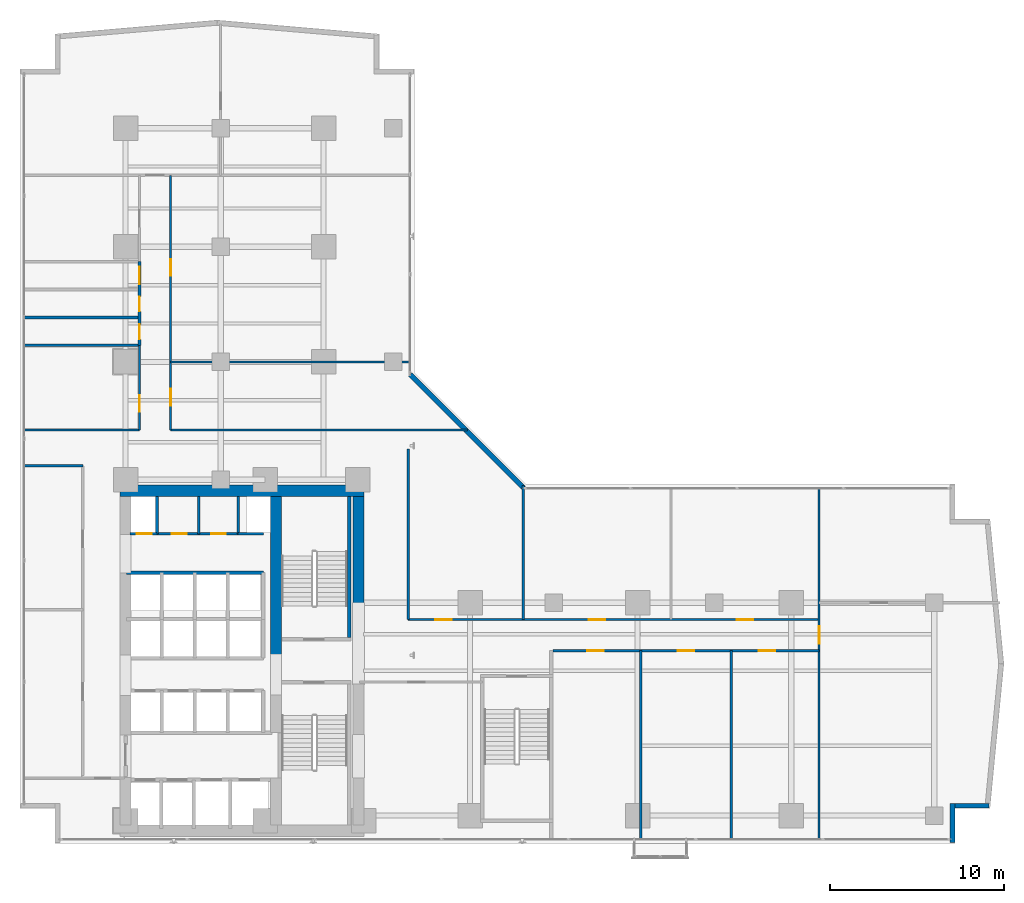
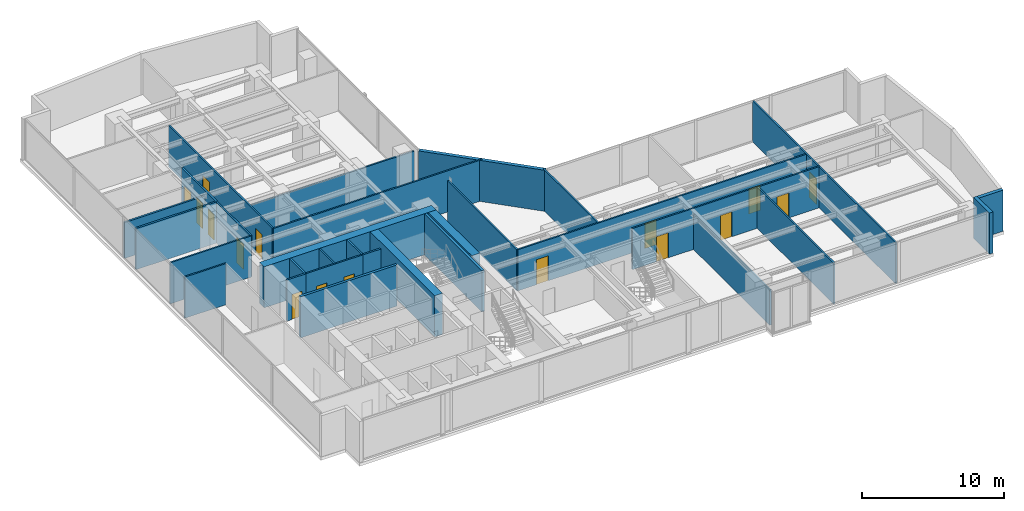
# One storey, part 21 of 28: 30 walls, 16 doors, 16 openings.
"""IFC4 building model written with IfcOpenShell, lengths in metres."""

from ifc_helpers import new_model, si_unit, direction, frame, frame_2d, origin, place, context, subcontext, project, spatial, rectangle, extrude, material, layer, layer_set, type_object, element, fill, save


model = new_model("IFC4")

# Units and contexts
model_context = context("Model", 3, precision=1e-05, world=origin(), true_north=direction((0.0, 1.0)))
body_context = subcontext(model_context, "Body", "Model", "MODEL_VIEW")
ifc_project = project(units=[si_unit("LENGTHUNIT", "METRE"), si_unit("AREAUNIT", "SQUARE_METRE"), si_unit("VOLUMEUNIT", "CUBIC_METRE"), si_unit("PLANEANGLEUNIT", "RADIAN"), si_unit("MASSUNIT", "GRAM", prefix="KILO")], contexts=[model_context])

# Site, building, storey
site_placement = place(None, origin())
site = spatial("IfcSite", under=ifc_project, at=site_placement, CompositionType="ELEMENT")
building_placement = place(site_placement, origin())
building = spatial("IfcBuilding", under=site, at=building_placement, Name="Kolvaren Waterfront Exchange", CompositionType="ELEMENT")
storey_placement = place(building_placement, frame((0.0, 0.0, 103.10009765625)))
storey = spatial("IfcBuildingStorey", under=building, at=storey_placement, Name="L26", CompositionType="ELEMENT", Elevation=103.10009765625)

# Walls
ifc_material_1 = material(Name="Precast concrete C40/50", Category="concrete")
ifc_layer_1 = layer(ifc_material_1, 0.280029296875, Name="Precast concrete C40/50")
ifc_layer_set_1 = layer_set([ifc_layer_1], Name="Precast concrete C40/50")
wall_type_1 = type_object("IfcWallType", Name="ARC-EXT-TERR-280", PredefinedType="SOLIDWALL", material=ifc_layer_set_1)
wall_1_placement = place(storey_placement, frame((54.840087890625, 3.659912109375, 0.0), z_axis=(0.0, 0.0, 1.0), x_axis=(0.0, 1.0, 0.0)))
element("IfcWall", 1, at=wall_1_placement, inside=storey, type_object=wall_type_1, Name="L26 notched corner spandrel pier SE-A", PredefinedType="SOLIDWALL", context=body_context, shape_type="SweptSolid", body=[
    extrude(rectangle(XDim=2.239990234375, YDim=0.280029296875, at=frame_2d((1.1201171875, 0.0))), origin(), (0.0, 0.0, 1.0), 3.539794921875),
])
wall_2_placement = place(storey_placement, frame((54.97998046875, 5.760009765625, 0.0), z_axis=(0.0, 0.0, 1.0), x_axis=(1.0, 0.0, 0.0)))
element("IfcWall", 2, at=wall_2_placement, inside=storey, type_object=wall_type_1, Name="L26 notched corner spandrel pier SE-B", PredefinedType="SOLIDWALL", context=body_context, shape_type="SweptSolid", body=[
    extrude(rectangle(XDim=1.9599609375, YDim=0.280029296875, at=frame_2d((0.97998046875, 0.0))), origin(), (0.0, 0.0, 1.0), 3.539794921875),
])
wall_3_placement = place(storey_placement, frame((30.284912109375, 23.97509765625, 0.0), z_axis=(0.0, 0.0, 1.0), x_axis=(-0.707106781187, 0.707106781187, 0.0)))
element("IfcWall", 3, at=wall_3_placement, inside=storey, type_object=wall_type_1, Name="L26 notched corner spandrel pier ELBOW", PredefinedType="SOLIDWALL", context=body_context, shape_type="SweptSolid", body=[
    extrude(rectangle(XDim=9.20654296875, YDim=0.280029296875, at=frame_2d((4.603271484375, 0.0))), origin(), (0.0, 0.0, 1.0), 3.539794921875),
])

# Wall, openings, doors
ifc_material_2 = material(Name="Acoustic gypsum steel stud", Category="steel")
ifc_layer_2 = layer(ifc_material_2, 0.125, Name="Acoustic gypsum steel stud")
ifc_layer_set_2 = layer_set([ifc_layer_2], Name="Acoustic gypsum steel stud")
wall_type_2 = type_object("IfcWallType", Name="ARC-PART-125", PredefinedType="PARTITIONING", material=ifc_layer_set_2)
wall_4_placement = place(storey_placement, frame((9.25, 21.35009765625, 0.0), z_axis=(0.0, 0.0, 1.0), x_axis=(1.0, 0.0, 0.0)))
wall_4 = element("IfcWall", 4, at=wall_4_placement, inside=storey, type_object=wall_type_2, Name="L26 interior wall PW-L26-SVC-EX-S", PredefinedType="PARTITIONING", context=body_context, shape_type="SweptSolid", body=[
    extrude(rectangle(XDim=4.64990234375, YDim=0.125, at=frame_2d((2.324951171875, 0.0))), origin(), (0.0, 0.0, 1.0), 3.539794921875),
])
opening_1_placement = place(wall_4_placement, frame((0.85009765625, 0.0, 0.0)))
opening_1 = element("IfcOpeningElement", 5, at=opening_1_placement, cuts=wall_4, Name="Opening D01", PredefinedType="OPENING", context=body_context, shape_type="SweptSolid", body=[
    extrude(rectangle(XDim=0.85009765625, YDim=2.14990234375, at=frame_2d((0.425048828125, 1.074951171875))), frame((0.0, 0.072509765625, 0.0), z_axis=(0.0, -1.0, 0.0), x_axis=(1.0, 0.0, 0.0)), (0.0, 0.0, 1.0), 0.14501953125),
])
opening_2_placement = place(wall_4_placement, frame((3.10009765625, 0.0, 0.0)))
opening_2 = element("IfcOpeningElement", 6, at=opening_2_placement, cuts=wall_4, Name="Opening D01", PredefinedType="OPENING", context=body_context, shape_type="SweptSolid", body=[
    extrude(rectangle(XDim=0.85009765625, YDim=2.14990234375, at=frame_2d((0.425048828125, 1.074951171875))), frame((0.0, 0.072509765625, 0.0), z_axis=(0.0, -1.0, 0.0), x_axis=(1.0, 0.0, 0.0)), (0.0, 0.0, 1.0), 0.14501953125),
])
ifc_material_3 = material(Name="Oak veneer timber leaf", Category="wood")
door_type_1 = type_object("IfcDoorType", Name="ARC-DR-900", OperationType="NOTDEFINED", PredefinedType="DOOR", material=ifc_material_3)
door_1_placement = place(opening_1_placement, origin())
door_1 = element("IfcDoor", 7, at=door_1_placement, inside=storey, type_object=door_type_1, Name="L26 door DR-L26-SVC-DR-1 (D01)", OperationType="SINGLE_SWING_RIGHT", OverallHeight=2.14990234375, OverallWidth=0.85009765625, PredefinedType="DOOR", context=body_context, shape_type="SweptSolid", body=[
    extrude(rectangle(XDim=0.85009765625, YDim=2.14990234375, at=frame_2d((0.425048828125, 1.074951171875))), frame((0.0, 0.02490234375, 0.0), z_axis=(0.0, -1.0, 0.0), x_axis=(1.0, 0.0, 0.0)), (0.0, 0.0, 1.0), 0.050048828125),
])
fill(opening_1, door_1)
door_2_placement = place(opening_2_placement, origin())
door_2 = element("IfcDoor", 8, at=door_2_placement, inside=storey, type_object=door_type_1, Name="L26 door DR-L26-SVC-DR-2 (D01)", OperationType="SINGLE_SWING_LEFT", OverallHeight=2.14990234375, OverallWidth=0.85009765625, PredefinedType="DOOR", context=body_context, shape_type="SweptSolid", body=[
    extrude(rectangle(XDim=0.85009765625, YDim=2.14990234375, at=frame_2d((0.425048828125, 1.074951171875))), frame((0.0, 0.02490234375, 0.0), z_axis=(0.0, -1.0, 0.0), x_axis=(1.0, 0.0, 0.0)), (0.0, 0.0, 1.0), 0.050048828125),
])
fill(opening_2, door_2)

# Wall
wall_5_placement = place(storey_placement, frame((11.64990234375, 21.35009765625, 0.0), z_axis=(0.0, 0.0, 1.0), x_axis=(0.0, 1.0, 0.0)))
element("IfcWall", 9, at=wall_5_placement, inside=storey, type_object=wall_type_2, Name="L26 interior wall PW-L26-SVC-EX-M1", PredefinedType="PARTITIONING", context=body_context, shape_type="SweptSolid", body=[
    extrude(rectangle(XDim=2.1298828125, YDim=0.125, at=frame_2d((1.06494140625, 0.0))), origin(), (0.0, 0.0, 1.0), 3.539794921875),
])

# Wall, opening, door
wall_6_placement = place(storey_placement, frame((8.25, 27.300048828125, 0.0), z_axis=(0.0, 0.0, 1.0), x_axis=(0.0, 1.0, 0.0)))
wall_6 = element("IfcWall", 10, at=wall_6_placement, inside=storey, type_object=wall_type_2, Name="L26 interior wall PW-L26-PREWC-E", PredefinedType="PARTITIONING", context=body_context, shape_type="SweptSolid", body=[
    extrude(rectangle(XDim=4.849853515625, YDim=0.125, at=frame_2d((2.4248046875, 0.0))), origin(), (0.0, 0.0, 1.0), 3.539794921875),
])
opening_3_placement = place(wall_6_placement, frame((1.050048828125, 0.0, 0.0)))
opening_3 = element("IfcOpeningElement", 11, at=opening_3_placement, cuts=wall_6, Name="Opening D02", PredefinedType="OPENING", context=body_context, shape_type="SweptSolid", body=[
    extrude(rectangle(XDim=0.949951171875, YDim=2.14990234375, at=frame_2d((0.47509765625, 1.074951171875))), frame((0.0, 0.072509765625, 0.0), z_axis=(0.0, -1.0, 0.0), x_axis=(1.0, 0.0, 0.0)), (0.0, 0.0, 1.0), 0.14501953125),
])
ifc_material_4 = material(Name="Oak veneer acoustic timber", Category="wood")
door_type_2 = type_object("IfcDoorType", Name="ARC-DR-950", OperationType="NOTDEFINED", PredefinedType="DOOR", material=ifc_material_4)
door_3_placement = place(opening_3_placement, origin())
door_3 = element("IfcDoor", 12, at=door_3_placement, inside=storey, type_object=door_type_2, Name="L26 door DR-L26-PREWC-D (D02)", OperationType="SINGLE_SWING_RIGHT", OverallHeight=2.14990234375, OverallWidth=0.949951171875, PredefinedType="DOOR", context=body_context, shape_type="SweptSolid", body=[
    extrude(rectangle(XDim=0.949951171875, YDim=2.14990234375, at=frame_2d((0.47509765625, 1.074951171875))), frame((0.0, 0.02490234375, 0.0), z_axis=(0.0, -1.0, 0.0), x_axis=(1.0, 0.0, 0.0)), (0.0, 0.0, 1.0), 0.050048828125),
])
fill(opening_3, door_3)

# Walls
wall_7_placement = place(storey_placement, frame((1.639892578125, 27.300048828125, 0.0), z_axis=(0.0, 0.0, 1.0), x_axis=(1.0, 0.0, 0.0)))
element("IfcWall", 13, at=wall_7_placement, inside=storey, type_object=wall_type_2, Name="L26 interior wall PW-L26-PREWC-S", PredefinedType="PARTITIONING", context=body_context, shape_type="SweptSolid", body=[
    extrude(rectangle(XDim=6.610107421875, YDim=0.125, at=frame_2d((3.30517578125, 0.0))), origin(), (0.0, 0.0, 1.0), 3.539794921875),
])
wall_8_placement = place(storey_placement, frame((1.639892578125, 25.25, 0.0), z_axis=(0.0, 0.0, 1.0), x_axis=(1.0, 0.0, 0.0)))
element("IfcWall", 14, at=wall_8_placement, inside=storey, type_object=wall_type_2, Name="L26 interior wall PW-L26-WFLANK-N", PredefinedType="PARTITIONING", context=body_context, shape_type="SweptSolid", body=[
    extrude(rectangle(XDim=3.360107421875, YDim=0.125, at=frame_2d((1.68017578125, 0.0))), origin(), (0.0, 0.0, 1.0), 3.539794921875),
])

# Wall, openings, doors
wall_9_placement = place(storey_placement, frame((31.949951171875, 14.64990234375, 0.0), z_axis=(0.0, 0.0, 1.0), x_axis=(1.0, 0.0, 0.0)))
wall_9 = element("IfcWall", 15, at=wall_9_placement, inside=storey, type_object=wall_type_2, Name="L26 interior wall PW-L26-ES-CORR", PredefinedType="PARTITIONING", context=body_context, shape_type="SweptSolid", body=[
    extrude(rectangle(XDim=15.25, YDim=0.125, at=frame_2d((7.625, 0.0))), origin(), (0.0, 0.0, 1.0), 3.539794921875),
])
opening_4_placement = place(wall_9_placement, frame((1.96875, 0.0, 0.0)))
opening_4 = element("IfcOpeningElement", 16, at=opening_4_placement, cuts=wall_9, Name="Opening D02", PredefinedType="OPENING", context=body_context, shape_type="SweptSolid", body=[
    extrude(rectangle(XDim=0.949951171875, YDim=2.14990234375, at=frame_2d((0.47509765625, 1.074951171875))), frame((0.0, 0.072509765625, 0.0), z_axis=(0.0, -1.0, 0.0), x_axis=(1.0, 0.0, 0.0)), (0.0, 0.0, 1.0), 0.14501953125),
])
opening_5_placement = place(wall_9_placement, frame((7.14990234375, 0.0, 0.0)))
opening_5 = element("IfcOpeningElement", 17, at=opening_5_placement, cuts=wall_9, Name="Opening D02", PredefinedType="OPENING", context=body_context, shape_type="SweptSolid", body=[
    extrude(rectangle(XDim=0.949951171875, YDim=2.14990234375, at=frame_2d((0.47509765625, 1.074951171875))), frame((0.0, 0.072509765625, 0.0), z_axis=(0.0, -1.0, 0.0), x_axis=(1.0, 0.0, 0.0)), (0.0, 0.0, 1.0), 0.14501953125),
])
opening_6_placement = place(wall_9_placement, frame((11.784912109375, 0.0, 0.0)))
opening_6 = element("IfcOpeningElement", 18, at=opening_6_placement, cuts=wall_9, Name="Opening D02", PredefinedType="OPENING", context=body_context, shape_type="SweptSolid", body=[
    extrude(rectangle(XDim=0.949951171875, YDim=2.14990234375, at=frame_2d((0.47509765625, 1.074951171875))), frame((0.0, 0.072509765625, 0.0), z_axis=(0.0, -1.0, 0.0), x_axis=(1.0, 0.0, 0.0)), (0.0, 0.0, 1.0), 0.14501953125),
])
door_4_placement = place(opening_4_placement, origin())
door_4 = element("IfcDoor", 19, at=door_4_placement, inside=storey, type_object=door_type_2, Name="L26 door DR-L26-ES-D-1 (D02)", OperationType="SINGLE_SWING_RIGHT", OverallHeight=2.14990234375, OverallWidth=0.949951171875, PredefinedType="DOOR", context=body_context, shape_type="SweptSolid", body=[
    extrude(rectangle(XDim=0.949951171875, YDim=2.14990234375, at=frame_2d((0.47509765625, 1.074951171875))), frame((0.0, 0.02490234375, 0.0), z_axis=(0.0, -1.0, 0.0), x_axis=(1.0, 0.0, 0.0)), (0.0, 0.0, 1.0), 0.050048828125),
])
fill(opening_4, door_4)
door_5_placement = place(opening_5_placement, origin())
door_5 = element("IfcDoor", 20, at=door_5_placement, inside=storey, type_object=door_type_2, Name="L26 door DR-L26-ES-D-2 (D02)", OperationType="SINGLE_SWING_LEFT", OverallHeight=2.14990234375, OverallWidth=0.949951171875, PredefinedType="DOOR", context=body_context, shape_type="SweptSolid", body=[
    extrude(rectangle(XDim=0.949951171875, YDim=2.14990234375, at=frame_2d((0.47509765625, 1.074951171875))), frame((0.0, 0.02490234375, 0.0), z_axis=(0.0, -1.0, 0.0), x_axis=(1.0, 0.0, 0.0)), (0.0, 0.0, 1.0), 0.050048828125),
])
fill(opening_5, door_5)
door_6_placement = place(opening_6_placement, origin())
door_6 = element("IfcDoor", 21, at=door_6_placement, inside=storey, type_object=door_type_2, Name="L26 door DR-L26-ES-D-3 (D02)", OperationType="SINGLE_SWING_RIGHT", OverallHeight=2.14990234375, OverallWidth=0.949951171875, PredefinedType="DOOR", context=body_context, shape_type="SweptSolid", body=[
    extrude(rectangle(XDim=0.949951171875, YDim=2.14990234375, at=frame_2d((0.47509765625, 1.074951171875))), frame((0.0, 0.02490234375, 0.0), z_axis=(0.0, -1.0, 0.0), x_axis=(1.0, 0.0, 0.0)), (0.0, 0.0, 1.0), 0.050048828125),
])
fill(opening_6, door_6)

# Walls
wall_10_placement = place(storey_placement, frame((36.97998046875, 3.840087890625, 0.0), z_axis=(0.0, 0.0, 1.0), x_axis=(0.0, 1.0, 0.0)))
element("IfcWall", 22, at=wall_10_placement, inside=storey, type_object=wall_type_2, Name="L26 interior wall PW-L26-ES-DIV-1", PredefinedType="PARTITIONING", context=body_context, shape_type="SweptSolid", body=[
    extrude(rectangle(XDim=10.809814453125, YDim=0.125, at=frame_2d((5.40478515625, 0.0))), origin(), (0.0, 0.0, 1.0), 3.039794921875),
])
wall_11_placement = place(storey_placement, frame((42.169921875, 3.840087890625, 0.0), z_axis=(0.0, 0.0, 1.0), x_axis=(0.0, 1.0, 0.0)))
element("IfcWall", 23, at=wall_11_placement, inside=storey, type_object=wall_type_2, Name="L26 interior wall PW-L26-ES-DIV-2", PredefinedType="PARTITIONING", context=body_context, shape_type="SweptSolid", body=[
    extrude(rectangle(XDim=10.809814453125, YDim=0.125, at=frame_2d((5.40478515625, 0.0))), origin(), (0.0, 0.0, 1.0), 3.539794921875),
])

# Wall, opening, door
wall_12_placement = place(storey_placement, frame((47.199951171875, 3.840087890625, 0.0), z_axis=(0.0, 0.0, 1.0), x_axis=(0.0, 1.0, 0.0)))
wall_12 = element("IfcWall", 24, at=wall_12_placement, inside=storey, type_object=wall_type_2, Name="L26 interior wall PW-L26-ETIP-W", PredefinedType="PARTITIONING", context=body_context, shape_type="SweptSolid", body=[
    extrude(rectangle(XDim=20.119873046875, YDim=0.125, at=frame_2d((10.06005859375, 0.0))), origin(), (0.0, 0.0, 1.0), 3.539794921875),
])
opening_7_placement = place(wall_12_placement, frame((11.199951171875, 0.0, 0.0)))
opening_7 = element("IfcOpeningElement", 25, at=opening_7_placement, cuts=wall_12, Name="Opening D03", PredefinedType="OPENING", context=body_context, shape_type="SweptSolid", body=[
    extrude(rectangle(XDim=1.0, YDim=2.199951171875, at=frame_2d((0.5, 1.10009765625))), frame((0.0, 0.072509765625, 0.0), z_axis=(0.0, -1.0, 0.0), x_axis=(1.0, 0.0, 0.0)), (0.0, 0.0, 1.0), 0.14501953125),
])
ifc_material_5 = material(Name="Oak veneer accessible timber", Category="wood")
door_type_3 = type_object("IfcDoorType", Name="ARC-DR-1000", OperationType="NOTDEFINED", PredefinedType="DOOR", material=ifc_material_5)
door_7_placement = place(opening_7_placement, origin())
door_7 = element("IfcDoor", 26, at=door_7_placement, inside=storey, type_object=door_type_3, Name="L26 door DR-L26-ETIP1-D (D03)", OperationType="SINGLE_SWING_LEFT", OverallHeight=2.199951171875, OverallWidth=1.0, PredefinedType="DOOR", context=body_context, shape_type="SweptSolid", body=[
    extrude(rectangle(XDim=1.0, YDim=2.199951171875, at=frame_2d((0.5, 1.10009765625))), frame((0.0, 0.02490234375, 0.0), z_axis=(0.0, -1.0, 0.0), x_axis=(1.0, 0.0, 0.0)), (0.0, 0.0, 1.0), 0.050048828125),
])
fill(opening_7, door_7)

# Wall
wall_13_placement = place(storey_placement, frame((23.64990234375, 16.429931640625, 0.0), z_axis=(0.0, 0.0, 1.0), x_axis=(0.0, 1.0, 0.0)))
element("IfcWall", 27, at=wall_13_placement, inside=storey, type_object=wall_type_2, Name="L26 interior wall PW-L26-EN-W0", PredefinedType="PARTITIONING", context=body_context, shape_type="SweptSolid", body=[
    extrude(rectangle(XDim=9.77001953125, YDim=0.125, at=frame_2d((4.885009765625, 0.0))), origin(), (0.0, 0.0, 1.0), 3.539794921875),
])

# Wall, openings, doors
wall_14_placement = place(storey_placement, frame((23.64990234375, 16.429931640625, 0.0), z_axis=(0.0, 0.0, 1.0), x_axis=(1.0, 0.0, 0.0)))
wall_14 = element("IfcWall", 28, at=wall_14_placement, inside=storey, type_object=wall_type_2, Name="L26 interior wall PW-L26-EN-CORR", PredefinedType="PARTITIONING", context=body_context, shape_type="SweptSolid", body=[
    extrude(rectangle(XDim=23.550048828125, YDim=0.125, at=frame_2d((11.77490234375, 0.0))), origin(), (0.0, 0.0, 1.0), 3.539794921875),
])
opening_8_placement = place(wall_14_placement, frame((1.538818359375, 0.0, 0.0)))
opening_8 = element("IfcOpeningElement", 29, at=opening_8_placement, cuts=wall_14, Name="Opening D02", PredefinedType="OPENING", context=body_context, shape_type="SweptSolid", body=[
    extrude(rectangle(XDim=0.949951171875, YDim=2.14990234375, at=frame_2d((0.47509765625, 1.074951171875))), frame((0.0, 0.072509765625, 0.0), z_axis=(0.0, -1.0, 0.0), x_axis=(1.0, 0.0, 0.0)), (0.0, 0.0, 1.0), 0.14501953125),
])
opening_9_placement = place(wall_14_placement, frame((10.35498046875, 0.0, 0.0)))
opening_9 = element("IfcOpeningElement", 30, at=opening_9_placement, cuts=wall_14, Name="Opening D02", PredefinedType="OPENING", context=body_context, shape_type="SweptSolid", body=[
    extrude(rectangle(XDim=0.949951171875, YDim=2.14990234375, at=frame_2d((0.47509765625, 1.074951171875))), frame((0.0, 0.072509765625, 0.0), z_axis=(0.0, -1.0, 0.0), x_axis=(1.0, 0.0, 0.0)), (0.0, 0.0, 1.0), 0.14501953125),
])
opening_10_placement = place(wall_14_placement, frame((18.8349609375, 0.0, 0.0)))
opening_10 = element("IfcOpeningElement", 31, at=opening_10_placement, cuts=wall_14, Name="Opening D02", PredefinedType="OPENING", context=body_context, shape_type="SweptSolid", body=[
    extrude(rectangle(XDim=0.949951171875, YDim=2.14990234375, at=frame_2d((0.47509765625, 1.074951171875))), frame((0.0, 0.072509765625, 0.0), z_axis=(0.0, -1.0, 0.0), x_axis=(1.0, 0.0, 0.0)), (0.0, 0.0, 1.0), 0.14501953125),
])
door_8_placement = place(opening_8_placement, origin())
door_8 = element("IfcDoor", 32, at=door_8_placement, inside=storey, type_object=door_type_2, Name="L26 door DR-L26-EN-D-1 (D02)", OperationType="SINGLE_SWING_LEFT", OverallHeight=2.14990234375, OverallWidth=0.949951171875, PredefinedType="DOOR", context=body_context, shape_type="SweptSolid", body=[
    extrude(rectangle(XDim=0.949951171875, YDim=2.14990234375, at=frame_2d((0.47509765625, 1.074951171875))), frame((0.0, 0.02490234375, 0.0), z_axis=(0.0, -1.0, 0.0), x_axis=(1.0, 0.0, 0.0)), (0.0, 0.0, 1.0), 0.050048828125),
])
fill(opening_8, door_8)
door_9_placement = place(opening_9_placement, origin())
door_9 = element("IfcDoor", 33, at=door_9_placement, inside=storey, type_object=door_type_2, Name="L26 door DR-L26-EN-D-2 (D02)", OperationType="SINGLE_SWING_RIGHT", OverallHeight=2.14990234375, OverallWidth=0.949951171875, PredefinedType="DOOR", context=body_context, shape_type="SweptSolid", body=[
    extrude(rectangle(XDim=0.949951171875, YDim=2.14990234375, at=frame_2d((0.47509765625, 1.074951171875))), frame((0.0, 0.02490234375, 0.0), z_axis=(0.0, -1.0, 0.0), x_axis=(1.0, 0.0, 0.0)), (0.0, 0.0, 1.0), 0.050048828125),
])
fill(opening_9, door_9)
door_10_placement = place(opening_10_placement, origin())
door_10 = element("IfcDoor", 34, at=door_10_placement, inside=storey, type_object=door_type_2, Name="L26 door DR-L26-EN-D-3 (D02)", OperationType="SINGLE_SWING_LEFT", OverallHeight=2.14990234375, OverallWidth=0.949951171875, PredefinedType="DOOR", context=body_context, shape_type="SweptSolid", body=[
    extrude(rectangle(XDim=0.949951171875, YDim=2.14990234375, at=frame_2d((0.47509765625, 1.074951171875))), frame((0.0, 0.02490234375, 0.0), z_axis=(0.0, -1.0, 0.0), x_axis=(1.0, 0.0, 0.0)), (0.0, 0.0, 1.0), 0.050048828125),
])
fill(opening_10, door_10)

# Walls
wall_15_placement = place(storey_placement, frame((30.239990234375, 16.429931640625, 0.0), z_axis=(0.0, 0.0, 1.0), x_axis=(0.0, 1.0, 0.0)))
element("IfcWall", 35, at=wall_15_placement, inside=storey, type_object=wall_type_2, Name="L26 interior wall PW-L26-EN-DIV-1", PredefinedType="PARTITIONING", context=body_context, shape_type="SweptSolid", body=[
    extrude(rectangle(XDim=7.690185546875, YDim=0.125, at=frame_2d((3.84521484375, 0.0))), origin(), (0.0, 0.0, 1.0), 3.539794921875),
])
wall_16_placement = place(storey_placement, frame((10.030029296875, 27.300048828125, 0.0), z_axis=(0.0, 0.0, 1.0), x_axis=(1.0, 0.0, 0.0)))
element("IfcWall", 36, at=wall_16_placement, inside=storey, type_object=wall_type_2, Name="L26 interior wall PW-L26-NE-S0", PredefinedType="PARTITIONING", context=body_context, shape_type="SweptSolid", body=[
    extrude(rectangle(XDim=17.030029296875, YDim=0.125, at=frame_2d((8.51513671875, 0.0))), origin(), (0.0, 0.0, 1.0), 3.539794921875),
])

# Wall, openings, doors
wall_17_placement = place(storey_placement, frame((10.030029296875, 27.300048828125, 0.0), z_axis=(0.0, 0.0, 1.0), x_axis=(0.0, 1.0, 0.0)))
wall_17 = element("IfcWall", 37, at=wall_17_placement, inside=storey, type_object=wall_type_2, Name="L26 interior wall PW-L26-NE-CORR", PredefinedType="PARTITIONING", context=body_context, shape_type="SweptSolid", body=[
    extrude(rectangle(XDim=14.599853515625, YDim=0.125, at=frame_2d((7.2998046875, 0.0))), origin(), (0.0, 0.0, 1.0), 3.539794921875),
])
opening_11_placement = place(wall_17_placement, frame((1.4033203125, 0.0, 0.0)))
opening_11 = element("IfcOpeningElement", 38, at=opening_11_placement, cuts=wall_17, Name="Opening D02", PredefinedType="OPENING", context=body_context, shape_type="SweptSolid", body=[
    extrude(rectangle(XDim=0.949951171875, YDim=2.14990234375, at=frame_2d((0.47509765625, 1.074951171875))), frame((0.0, 0.072509765625, 0.0), z_axis=(0.0, -1.0, 0.0), x_axis=(1.0, 0.0, 0.0)), (0.0, 0.0, 1.0), 0.14501953125),
])
opening_12_placement = place(wall_17_placement, frame((8.845947265625, 0.0, 0.0)))
opening_12 = element("IfcOpeningElement", 39, at=opening_12_placement, cuts=wall_17, Name="Opening D02", PredefinedType="OPENING", context=body_context, shape_type="SweptSolid", body=[
    extrude(rectangle(XDim=0.949951171875, YDim=2.14990234375, at=frame_2d((0.47509765625, 1.074951171875))), frame((0.0, 0.072509765625, 0.0), z_axis=(0.0, -1.0, 0.0), x_axis=(1.0, 0.0, 0.0)), (0.0, 0.0, 1.0), 0.14501953125),
])
door_11_placement = place(opening_11_placement, origin())
door_11 = element("IfcDoor", 40, at=door_11_placement, inside=storey, type_object=door_type_2, Name="L26 door DR-L26-NE-D-1 (D02)", OperationType="SINGLE_SWING_LEFT", OverallHeight=2.14990234375, OverallWidth=0.949951171875, PredefinedType="DOOR", context=body_context, shape_type="SweptSolid", body=[
    extrude(rectangle(XDim=0.949951171875, YDim=2.14990234375, at=frame_2d((0.47509765625, 1.074951171875))), frame((0.0, 0.02490234375, 0.0), z_axis=(0.0, -1.0, 0.0), x_axis=(1.0, 0.0, 0.0)), (0.0, 0.0, 1.0), 0.050048828125),
])
fill(opening_11, door_11)
door_12_placement = place(opening_12_placement, origin())
door_12 = element("IfcDoor", 41, at=door_12_placement, inside=storey, type_object=door_type_2, Name="L26 door DR-L26-NE-D-2 (D02)", OperationType="SINGLE_SWING_RIGHT", OverallHeight=2.14990234375, OverallWidth=0.949951171875, PredefinedType="DOOR", context=body_context, shape_type="SweptSolid", body=[
    extrude(rectangle(XDim=0.949951171875, YDim=2.14990234375, at=frame_2d((0.47509765625, 1.074951171875))), frame((0.0, 0.02490234375, 0.0), z_axis=(0.0, -1.0, 0.0), x_axis=(1.0, 0.0, 0.0)), (0.0, 0.0, 1.0), 0.050048828125),
])
fill(opening_12, door_12)

# Walls
wall_18_placement = place(storey_placement, frame((10.030029296875, 31.199951171875, 0.0), z_axis=(0.0, 0.0, 1.0), x_axis=(1.0, 0.0, 0.0)))
element("IfcWall", 42, at=wall_18_placement, inside=storey, type_object=wall_type_2, Name="L26 interior wall PW-L26-NE-DIV-1", PredefinedType="PARTITIONING", context=body_context, shape_type="SweptSolid", body=[
    extrude(rectangle(XDim=13.72998046875, YDim=0.125, at=frame_2d((6.864990234375, 0.0))), origin(), (0.0, 0.0, 1.0), 3.039794921875),
])
ifc_material_6 = material(Name="Gypsum fireboard steel stud", Category="steel")
ifc_layer_3 = layer(ifc_material_6, 0.14990234375, Name="Gypsum fireboard steel stud")
ifc_layer_set_3 = layer_set([ifc_layer_3], Name="Gypsum fireboard steel stud")
wall_type_3 = type_object("IfcWallType", Name="ARC-PART-150", PredefinedType="PARTITIONING", material=ifc_layer_set_3)
for number, where, z_axis, x_axis, name in (
    (43, (9.25, 21.35009765625, 0.0), (0.0, 0.0, 1.0), (0.0, 1.0, 0.0), "L26 interior wall PW-L26-SVC-R1"),
    (44, (13.89990234375, 21.35009765625, 0.0), (0.0, 0.0, 1.0), (0.0, 1.0, 0.0), "L26 interior wall PW-L26-SVC-R2"),
):
    element("IfcWall", number, at=place(storey_placement, frame(where, z_axis=z_axis, x_axis=x_axis)), inside=storey, type_object=wall_type_3, Name=name, PredefinedType="PARTITIONING", context=body_context, shape_type="SweptSolid", body=[
        extrude(rectangle(XDim=2.1298828125, YDim=0.14990234375, at=frame_2d((1.06494140625, 0.0))), origin(), (0.0, 0.0, 1.0), 3.539794921875),
    ])

# Wall, opening, door
wall_19_placement = place(storey_placement, frame((7.699951171875, 21.35009765625, 0.0), z_axis=(0.0, 0.0, 1.0), x_axis=(1.0, 0.0, 0.0)))
wall_19 = element("IfcWall", 45, at=wall_19_placement, inside=storey, type_object=wall_type_3, Name="L26 interior wall PW-L26-SVC-RE-S", PredefinedType="PARTITIONING", context=body_context, shape_type="SweptSolid", body=[
    extrude(rectangle(XDim=1.550048828125, YDim=0.14990234375, at=frame_2d((0.77490234375, 0.0))), origin(), (0.0, 0.0, 1.0), 3.539794921875),
])
opening_13_placement = place(wall_19_placement, frame((0.389892578125, 0.0, 0.0)))
opening_13 = element("IfcOpeningElement", 46, at=opening_13_placement, cuts=wall_19, Name="Opening FD1", PredefinedType="OPENING", context=body_context, shape_type="SweptSolid", body=[
    extrude(rectangle(XDim=0.85009765625, YDim=2.14990234375, at=frame_2d((0.425048828125, 1.074951171875))), frame((0.0, 0.0849609375, 0.0), z_axis=(0.0, -1.0, 0.0), x_axis=(1.0, 0.0, 0.0)), (0.0, 0.0, 1.0), 0.169921875),
])
ifc_material_7 = material(Name="Pressed steel fire leaf", Category="steel")
door_type_4 = type_object("IfcDoorType", Name="ARC-FD-900", OperationType="NOTDEFINED", PredefinedType="DOOR", material=ifc_material_7)
door_13_placement = place(opening_13_placement, origin())
door_13 = element("IfcDoor", 47, at=door_13_placement, inside=storey, type_object=door_type_4, Name="L26 door DR-L26-RISER-E-DR (FD1)", OperationType="SINGLE_SWING_LEFT", OverallHeight=2.14990234375, OverallWidth=0.85009765625, PredefinedType="DOOR", context=body_context, shape_type="SweptSolid", body=[
    extrude(rectangle(XDim=0.85009765625, YDim=2.14990234375, at=frame_2d((0.425048828125, 1.074951171875))), frame((0.0, 0.02490234375, 0.0), z_axis=(0.0, -1.0, 0.0), x_axis=(1.0, 0.0, 0.0)), (0.0, 0.0, 1.0), 0.050048828125),
])
fill(opening_13, door_13)

# Walls
wall_20_placement = place(storey_placement, frame((13.89990234375, 21.35009765625, 0.0), z_axis=(0.0, 0.0, 1.0), x_axis=(1.0, 0.0, 0.0)))
element("IfcWall", 48, at=wall_20_placement, inside=storey, type_object=wall_type_3, Name="L26 interior wall PW-L26-SVC-RP-S", PredefinedType="PARTITIONING", context=body_context, shape_type="SweptSolid", body=[
    extrude(rectangle(XDim=1.4501953125, YDim=0.14990234375, at=frame_2d((0.72509765625, 0.0))), origin(), (0.0, 0.0, 1.0), 3.539794921875),
])
ifc_material_8 = material(Name="Moisture-resistant gypsum stud")
ifc_layer_4 = layer(ifc_material_8, 0.14990234375, Name="Moisture-resistant gypsum stud")
ifc_layer_set_4 = layer_set([ifc_layer_4], Name="Moisture-resistant gypsum stud")
wall_type_4 = type_object("IfcWallType", Name="ARC-PLUMB-150", PredefinedType="PLUMBINGWALL", material=ifc_layer_set_4)
wall_21_placement = place(storey_placement, frame((1.639892578125, 32.14990234375, 0.0), z_axis=(0.0, 0.0, 1.0), x_axis=(1.0, 0.0, 0.0)))
element("IfcWall", 49, at=wall_21_placement, inside=storey, type_object=wall_type_4, Name="L26 interior wall PW-L26-WC-0", PredefinedType="PLUMBINGWALL", context=body_context, shape_type="SweptSolid", body=[
    extrude(rectangle(XDim=6.610107421875, YDim=0.14990234375, at=frame_2d((3.30517578125, 0.0))), origin(), (0.0, 0.0, 1.0), 3.539794921875),
])

# Wall, openings, doors
wall_22_placement = place(storey_placement, frame((8.25, 32.14990234375, 0.0), z_axis=(0.0, 0.0, 1.0), x_axis=(0.0, 1.0, 0.0)))
wall_22 = element("IfcWall", 50, at=wall_22_placement, inside=storey, type_object=wall_type_4, Name="L26 interior wall PW-L26-WC-E", PredefinedType="PLUMBINGWALL", context=body_context, shape_type="SweptSolid", body=[
    extrude(rectangle(XDim=4.800048828125, YDim=0.14990234375, at=frame_2d((2.39990234375, 0.0))), origin(), (0.0, 0.0, 1.0), 3.539794921875),
])
opening_14_placement = place(wall_22_placement, frame((0.35009765625, 0.0, 0.0)))
opening_14 = element("IfcOpeningElement", 51, at=opening_14_placement, cuts=wall_22, Name="Opening D01", PredefinedType="OPENING", context=body_context, shape_type="SweptSolid", body=[
    extrude(rectangle(XDim=0.85009765625, YDim=2.14990234375, at=frame_2d((0.425048828125, 1.074951171875))), frame((0.0, 0.0849609375, 0.0), z_axis=(0.0, -1.0, 0.0), x_axis=(1.0, 0.0, 0.0)), (0.0, 0.0, 1.0), 0.169921875),
])
opening_15_placement = place(wall_22_placement, frame((1.949951171875, 0.0, 0.0)))
opening_15 = element("IfcOpeningElement", 52, at=opening_15_placement, cuts=wall_22, Name="Opening D01", PredefinedType="OPENING", context=body_context, shape_type="SweptSolid", body=[
    extrude(rectangle(XDim=0.85009765625, YDim=2.14990234375, at=frame_2d((0.425048828125, 1.074951171875))), frame((0.0, 0.0849609375, 0.0), z_axis=(0.0, -1.0, 0.0), x_axis=(1.0, 0.0, 0.0)), (0.0, 0.0, 1.0), 0.169921875),
])
opening_16_placement = place(wall_22_placement, frame((3.5, 0.0, 0.0)))
opening_16 = element("IfcOpeningElement", 53, at=opening_16_placement, cuts=wall_22, Name="Opening D03", PredefinedType="OPENING", context=body_context, shape_type="SweptSolid", body=[
    extrude(rectangle(XDim=1.0, YDim=2.199951171875, at=frame_2d((0.5, 1.10009765625))), frame((0.0, 0.0849609375, 0.0), z_axis=(0.0, -1.0, 0.0), x_axis=(1.0, 0.0, 0.0)), (0.0, 0.0, 1.0), 0.169921875),
])
door_14_placement = place(opening_16_placement, origin())
door_14 = element("IfcDoor", 54, at=door_14_placement, inside=storey, type_object=door_type_3, Name="L26 door DR-L26-WCA-D (D03)", OperationType="SINGLE_SWING_LEFT", OverallHeight=2.199951171875, OverallWidth=1.0, PredefinedType="DOOR", context=body_context, shape_type="SweptSolid", body=[
    extrude(rectangle(XDim=1.0, YDim=2.199951171875, at=frame_2d((0.5, 1.10009765625))), frame((0.0, 0.02490234375, 0.0), z_axis=(0.0, -1.0, 0.0), x_axis=(1.0, 0.0, 0.0)), (0.0, 0.0, 1.0), 0.050048828125),
])
fill(opening_16, door_14)
door_15_placement = place(opening_14_placement, origin())
door_15 = element("IfcDoor", 55, at=door_15_placement, inside=storey, type_object=door_type_1, Name="L26 door DR-L26-WCM-D (D01)", OperationType="SINGLE_SWING_LEFT", OverallHeight=2.14990234375, OverallWidth=0.85009765625, PredefinedType="DOOR", context=body_context, shape_type="SweptSolid", body=[
    extrude(rectangle(XDim=0.85009765625, YDim=2.14990234375, at=frame_2d((0.425048828125, 1.074951171875))), frame((0.0, 0.02490234375, 0.0), z_axis=(0.0, -1.0, 0.0), x_axis=(1.0, 0.0, 0.0)), (0.0, 0.0, 1.0), 0.050048828125),
])
fill(opening_14, door_15)
door_16_placement = place(opening_15_placement, origin())
door_16 = element("IfcDoor", 56, at=door_16_placement, inside=storey, type_object=door_type_1, Name="L26 door DR-L26-WCF-D (D01)", OperationType="SINGLE_SWING_RIGHT", OverallHeight=2.14990234375, OverallWidth=0.85009765625, PredefinedType="DOOR", context=body_context, shape_type="SweptSolid", body=[
    extrude(rectangle(XDim=0.85009765625, YDim=2.14990234375, at=frame_2d((0.425048828125, 1.074951171875))), frame((0.0, 0.02490234375, 0.0), z_axis=(0.0, -1.0, 0.0), x_axis=(1.0, 0.0, 0.0)), (0.0, 0.0, 1.0), 0.050048828125),
])
fill(opening_15, door_16)

# Walls
wall_23_placement = place(storey_placement, frame((1.639892578125, 33.75, 0.0), z_axis=(0.0, 0.0, 1.0), x_axis=(1.0, 0.0, 0.0)))
element("IfcWall", 57, at=wall_23_placement, inside=storey, type_object=wall_type_4, Name="L26 interior wall PW-L26-WC-1", PredefinedType="PLUMBINGWALL", context=body_context, shape_type="SweptSolid", body=[
    extrude(rectangle(XDim=6.610107421875, YDim=0.14990234375, at=frame_2d((3.30517578125, 0.0))), origin(), (0.0, 0.0, 1.0), 3.08984375),
])
ifc_material_9 = material(Name="Concrete C40/50", Category="concrete")
ifc_layer_5 = layer(ifc_material_9, 0.199951171875, Name="Concrete C40/50")
ifc_layer_set_5 = layer_set([ifc_layer_5], Name="Concrete C40/50")
wall_type_5 = type_object("IfcWallType", Name="ARC-SHAFT-200", PredefinedType="PARTITIONING", material=ifc_layer_set_5)
wall_24_placement = place(storey_placement, frame((20.260009765625, 15.39990234375, 0.0), z_axis=(0.0, 0.0, 1.0), x_axis=(0.0, 1.0, 0.0)))
element("IfcWall", 58, at=wall_24_placement, inside=storey, type_object=wall_type_5, Name="L26 structural stairwell wall PW-L26-ST2-E", PredefinedType="SHEAR", context=body_context, shape_type="SweptSolid", body=[
    extrude(rectangle(XDim=8.090087890625, YDim=0.199951171875, at=frame_2d((4.044921875, 0.0))), origin(), (0.0, 0.0, 1.0), 3.539794921875),
])
wall_25_placement = place(storey_placement, frame((7.5, 19.1201171875, 0.0), z_axis=(0.0, 0.0, 1.0), x_axis=(1.0, 0.0, 0.0)))
element("IfcWall", 59, at=wall_25_placement, inside=storey, type_object=wall_type_5, Name="L26 interior wall PW-L26-PH-N", PredefinedType="PARTITIONING", context=body_context, shape_type="SweptSolid", body=[
    extrude(rectangle(XDim=7.85009765625, YDim=0.199951171875, at=frame_2d((3.925048828125, 0.0))), origin(), (0.0, 0.0, 1.0), 3.539794921875),
])
ifc_material_10 = material(Name="Concrete C60/75", Category="concrete")
ifc_layer_6 = layer(ifc_material_10, 0.64990234375, Name="Concrete C60/75")
ifc_layer_set_6 = layer_set([ifc_layer_6], Name="Concrete C60/75")
wall_type_6 = type_object("IfcWallType", Name="STR-CWALL-650", PredefinedType="SHEAR", material=ifc_layer_set_6)
wall_26_placement = place(storey_placement, frame((7.125, 23.824951171875, 0.0), z_axis=(0.0, 0.0, 1.0), x_axis=(1.0, 0.0, 0.0)))
element("IfcWall", 60, at=wall_26_placement, inside=storey, type_object=wall_type_6, Name="L26 rear-core shear wall N", PredefinedType="SHEAR", context=body_context, shape_type="SweptSolid", body=[
    extrude(rectangle(XDim=14.0, YDim=0.64990234375, at=frame_2d((7.0, 0.0))), origin(), (0.0, 0.0, 1.0), 3.539794921875),
])
wall_27_placement = place(storey_placement, frame((20.800048828125, 17.35009765625, 0.0), z_axis=(0.0, 0.0, 1.0), x_axis=(0.0, 1.0, 0.0)))
element("IfcWall", 61, at=wall_27_placement, inside=storey, type_object=wall_type_6, Name="L26 rear-core shear wall E3", PredefinedType="SHEAR", context=body_context, shape_type="SweptSolid", body=[
    extrude(rectangle(XDim=6.14990234375, YDim=0.64990234375, at=frame_2d((3.074951171875, 0.0))), origin(), (0.0, 0.0, 1.0), 3.539794921875),
])
wall_28_placement = place(storey_placement, frame((16.074951171875, 14.39990234375, 0.0), z_axis=(0.0, 0.0, 1.0), x_axis=(0.0, 1.0, 0.0)))
element("IfcWall", 62, at=wall_28_placement, inside=storey, type_object=wall_type_6, Name="L26 rear-core shear wall M3", PredefinedType="SHEAR", context=body_context, shape_type="SweptSolid", body=[
    extrude(rectangle(XDim=9.10009765625, YDim=0.64990234375, at=frame_2d((4.550048828125, 0.0))), origin(), (0.0, 0.0, 1.0), 3.539794921875),
])

save(model, "model.ifc")
